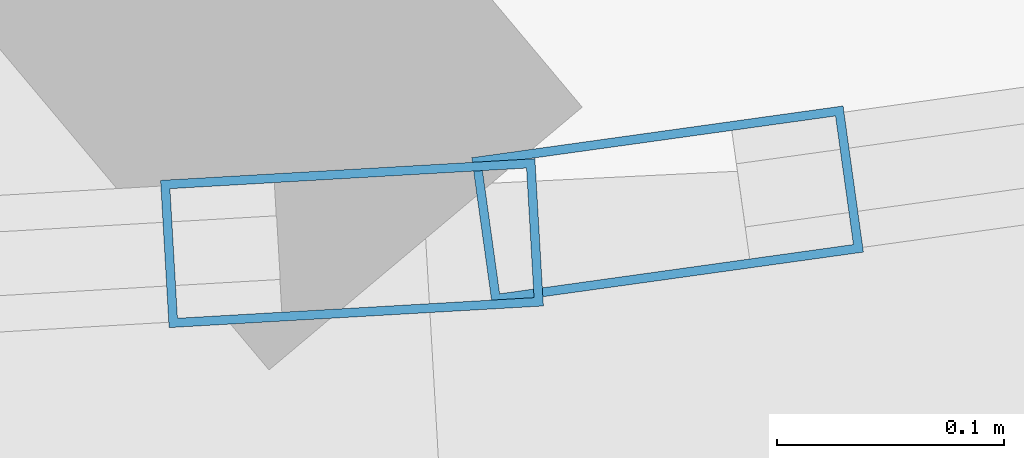
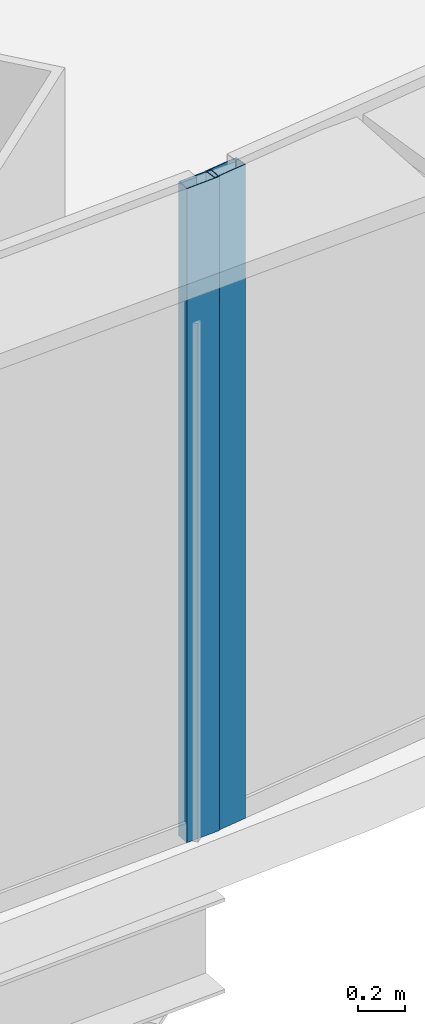
# One storey, part 12 of 37: 2 members, 2 elements without a shape of their own.
"""IFC4 building model written with IfcOpenShell, lengths in metres."""

from ifc_helpers import new_model, si_unit, direction, frame, origin, origin_2d, place, context, subcontext, project, spatial, hollow_rectangle, extrude, source, transform, mapped, material, layer, layer_set, material_profile, profile_set, type_object, element, aggregate, save


model = new_model("IFC4")

# Units and contexts
model_context = context("Model", 3, precision=1e-05, world=origin(), true_north=direction((0.0, 1.0)))
body_context = subcontext(model_context, "Body", "Model", "MODEL_VIEW")
ifc_project = project(units=[si_unit("LENGTHUNIT", "METRE"), si_unit("AREAUNIT", "SQUARE_METRE"), si_unit("VOLUMEUNIT", "CUBIC_METRE"), si_unit("PLANEANGLEUNIT", "RADIAN"), si_unit("MASSUNIT", "GRAM", prefix="KILO"), si_unit("THERMODYNAMICTEMPERATUREUNIT", "KELVIN"), si_unit("POWERUNIT", "WATT")], contexts=[model_context])

# Site, building, storey
site_placement = place(None, origin())
site = spatial("IfcSite", under=ifc_project, at=site_placement, CompositionType="ELEMENT")
building_placement = place(site_placement, origin())
building = spatial("IfcBuilding", under=site, at=building_placement, Name="Yunzhuo Pagoda Commons", CompositionType="ELEMENT")
storey_placement = place(building_placement, frame((0.0, 0.0, 52.179931640625)))
storey = spatial("IfcBuildingStorey", under=building, at=storey_placement, Name="L13", CompositionType="ELEMENT", Elevation=52.179931640625)

# Curtain wall, member
ifc_material = material(Name="Anodized aluminium 6063-T6", Category="aluminium")
ifc_layer = layer(ifc_material, 0.1650390625)
ifc_layer_set = layer_set([ifc_layer], Name="Anodized aluminium 6063-T6")
curtain_wall_type = type_object("IfcCurtainWallType", Name="CW-LOW Low-Zone Ribbon Curtain Wall", PredefinedType="NOTDEFINED", material=ifc_layer_set)
curtain_wall_1_placement = place(storey_placement, origin())
curtain_wall_1 = element("IfcCurtainWall", 1, at=curtain_wall_1_placement, inside=storey, type_object=curtain_wall_type, Name="L13 curtain wall CW-L13-F1B4", PredefinedType="NOTDEFINED")
ifc_material_profile = material_profile(ifc_material, hollow_rectangle(XDim=0.06494140625, YDim=0.1650390625, WallThickness=0.00390625, at=origin_2d()), Name="Anodized aluminium 6063-T6")
ifc_profile_set = profile_set([ifc_material_profile], Name="Anodized aluminium 6063-T6")
member_type = type_object("IfcMemberType", Name="CW-LOW-M Mullion RHS 165x65x4", PredefinedType="MULLION", material=ifc_profile_set)
shared_shape = source(origin(), body_context, "Body", "SweptSolid", [
    extrude(hollow_rectangle(XDim=0.06494140625, YDim=0.1650390625, WallThickness=0.00390625, at=origin_2d()), origin(), (0.0, 0.0, 1.0), 3.3701171875),
])
member_1_placement = place(storey_placement, frame((66.355224609375, 11.78466796875, 0.0), z_axis=(0.0, 0.0, 1.0), x_axis=(-0.057664069997, 0.998336043139, 0.0)))
member_1 = element("IfcMember", 2, at=member_1_placement, type_object=member_type, Name="CW mullion 2", PredefinedType="MULLION", context=body_context, shape_type="MappedRepresentation", body=[
    mapped(shared_shape, transform((0.0, 0.0, 0.0), scale=1.0)),
])
aggregate(curtain_wall_1, [member_1])

curtain_wall_2_placement = place(storey_placement, origin())
curtain_wall_2 = element("IfcCurtainWall", 3, at=curtain_wall_2_placement, inside=storey, type_object=curtain_wall_type, Name="L13 curtain wall CW-L13-F1B5", PredefinedType="NOTDEFINED")
member_2_placement = place(storey_placement, frame((66.494140625, 11.801513671875, 0.0), z_axis=(0.0, 0.0, 1.0), x_axis=(-0.13790498569, 0.990445462871, 0.0)))
member_2 = element("IfcMember", 4, at=member_2_placement, type_object=member_type, Name="CW mullion 1", PredefinedType="MULLION", context=body_context, shape_type="MappedRepresentation", body=[
    mapped(shared_shape, transform((0.0, 0.0, 0.0), scale=1.0)),
])
aggregate(curtain_wall_2, [member_2])

save(model, "model.ifc")
